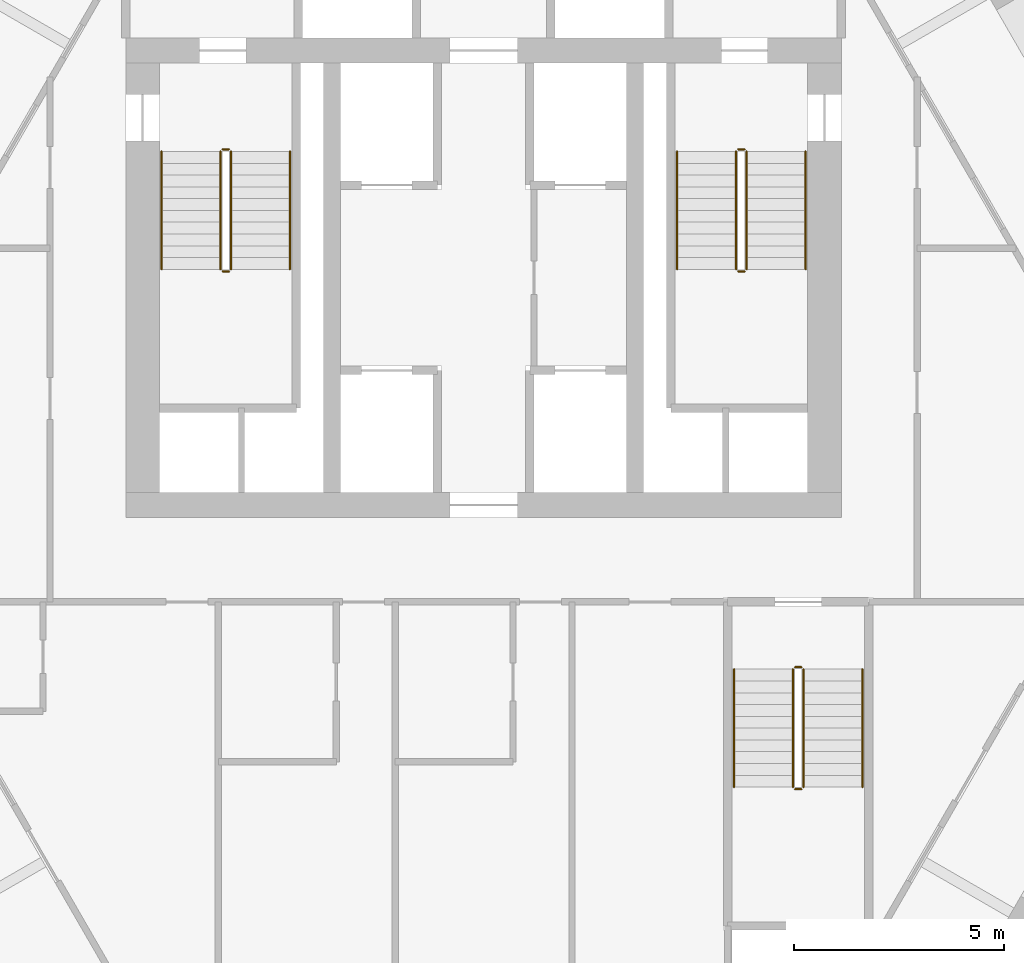
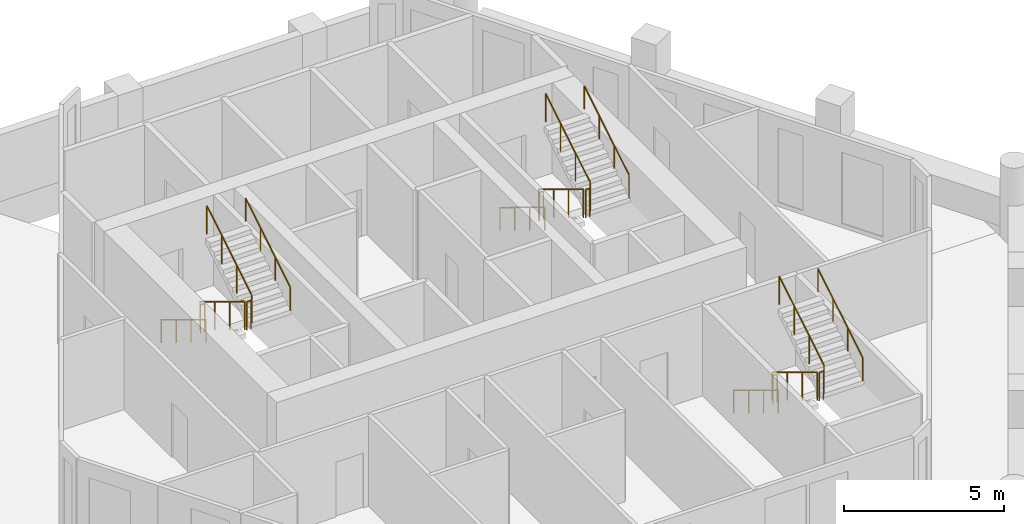
# One storey, part 6 of 6: 18 railings.
"""IFC4 building model written with IfcOpenShell, lengths in metres."""

from ifc_helpers import new_model, si_unit, direction, frame, origin, origin_2d, place, context, subcontext, project, spatial, circle, extrude, material, type_object, element, save


model = new_model("IFC4")

# Units and contexts
model_context = context("Model", 3, precision=1e-05, world=origin(), true_north=direction((0.0, 1.0)))
body_context = subcontext(model_context, "Body", "Model", "MODEL_VIEW")
ifc_project = project(units=[si_unit("LENGTHUNIT", "METRE"), si_unit("AREAUNIT", "SQUARE_METRE"), si_unit("VOLUMEUNIT", "CUBIC_METRE"), si_unit("PLANEANGLEUNIT", "RADIAN"), si_unit("MASSUNIT", "GRAM", prefix="KILO")], contexts=[model_context])

# Site, building, storey
site_placement = place(None, origin())
site = spatial("IfcSite", under=ifc_project, at=site_placement, CompositionType="ELEMENT")
building_placement = place(site_placement, origin())
building = spatial("IfcBuilding", under=site, at=building_placement, Name="Ostrander Bayou Hotel Tower", CompositionType="ELEMENT")
storey_placement = place(building_placement, frame((0.0, 0.0, 252.5)))
storey = spatial("IfcBuildingStorey", under=building, at=storey_placement, Name="L62", CompositionType="ELEMENT", Elevation=252.5)

# Railings
ifc_material_1 = material(Name="Steel ASTM A500 Gr C", Category="steel")
railing_type_1 = type_object("IfcRailingType", Name="GR1 stair guard 1100 mm steel", PredefinedType="GUARDRAIL", material=ifc_material_1)
railing_1_placement = place(storey_placement, frame((-6.25, 7.0, 0.17041015625)))
element("IfcRailing", 1, at=railing_1_placement, inside=storey, type_object=railing_type_1, Name="L62 STA stair guard 1", PredefinedType="GUARDRAIL", context=body_context, shape_type="SweptSolid", body=[
    extrude(circle(Radius=0.02392578125, at=origin_2d()), frame((0.0, 0.0, 1.076171875), z_axis=(0.0, -0.854169791009, 0.51999420009), x_axis=(1.0, 0.0, 0.0)), (0.0, 0.0, 1.0), 3.278076171875),
    extrude(circle(Radius=0.02099609375, at=origin_2d()), origin(), (0.0, 0.0, 1.0), 1.052001953125),
    extrude(circle(Radius=0.02099609375, at=origin_2d()), frame((0.0, -0.933349609375, 0.568115234375)), (0.0, 0.0, 1.0), 1.052001953125),
    extrude(circle(Radius=0.02099609375, at=origin_2d()), frame((0.0, -1.86669921875, 1.136474609375)), (0.0, 0.0, 1.0), 1.052001953125),
    extrude(circle(Radius=0.02099609375, at=origin_2d()), frame((0.0, -2.800048828125, 1.70458984375)), (0.0, 0.0, 1.0), 1.052001953125),
])
railing_2_placement = place(storey_placement, frame((-6.199951171875, 4.14990234375, 1.875)))
element("IfcRailing", 2, at=railing_2_placement, inside=storey, type_object=railing_type_1, Name="L62 STA stair guard 2", PredefinedType="GUARDRAIL", context=body_context, shape_type="SweptSolid", body=[
    extrude(circle(Radius=0.02392578125, at=origin_2d()), frame((0.0, 0.0, 1.076171875), z_axis=(1.0, 0.0, 0.0), x_axis=(0.0, 1.0, 0.0)), (0.0, 0.0, 1.0), 0.14990234375),
    extrude(circle(Radius=0.02099609375, at=origin_2d()), origin(), (0.0, 0.0, 1.0), 1.052001953125),
    extrude(circle(Radius=0.02099609375, at=origin_2d()), frame((0.14990234375, 0.0, 0.0)), (0.0, 0.0, 1.0), 1.052001953125),
])
railing_3_placement = place(storey_placement, frame((-6.0, 4.199951171875, 2.04541015625)))
element("IfcRailing", 3, at=railing_3_placement, inside=storey, type_object=railing_type_1, Name="L62 STA stair guard 3", PredefinedType="GUARDRAIL", context=body_context, shape_type="SweptSolid", body=[
    extrude(circle(Radius=0.02392578125, at=origin_2d()), frame((0.0, 0.0, 1.076171875), z_axis=(0.0, 0.854169791009, 0.51999420009), x_axis=(-1.0, 0.0, 0.0)), (0.0, 0.0, 1.0), 3.278076171875),
    extrude(circle(Radius=0.02099609375, at=origin_2d()), origin(), (0.0, 0.0, 1.0), 1.052001953125),
    extrude(circle(Radius=0.02099609375, at=origin_2d()), frame((0.0, 0.933349609375, 0.568115234375)), (0.0, 0.0, 1.0), 1.052001953125),
    extrude(circle(Radius=0.02099609375, at=origin_2d()), frame((0.0, 1.86669921875, 1.136474609375)), (0.0, 0.0, 1.0), 1.052001953125),
    extrude(circle(Radius=0.02099609375, at=origin_2d()), frame((0.0, 2.800048828125, 1.70458984375)), (0.0, 0.0, 1.0), 1.052001953125),
])
railing_4_placement = place(storey_placement, frame((-6.199951171875, 7.050048828125, 0.0)))
element("IfcRailing", 4, at=railing_4_placement, inside=storey, type_object=railing_type_1, Name="L62 STA stair guard 4", PredefinedType="GUARDRAIL", context=body_context, shape_type="SweptSolid", body=[
    extrude(circle(Radius=0.02392578125, at=origin_2d()), frame((0.0, 0.0, 1.076171875), z_axis=(1.0, 0.0, 0.0), x_axis=(0.0, 1.0, 0.0)), (0.0, 0.0, 1.0), 0.14990234375),
    extrude(circle(Radius=0.02099609375, at=origin_2d()), origin(), (0.0, 0.0, 1.0), 1.052001953125),
    extrude(circle(Radius=0.02099609375, at=origin_2d()), frame((0.14990234375, 0.0, 0.0)), (0.0, 0.0, 1.0), 1.052001953125),
])
railing_5_placement = place(storey_placement, frame((6.0, 7.0, 0.17041015625)))
element("IfcRailing", 5, at=railing_5_placement, inside=storey, type_object=railing_type_1, Name="L62 STB stair guard 1", PredefinedType="GUARDRAIL", context=body_context, shape_type="SweptSolid", body=[
    extrude(circle(Radius=0.02392578125, at=origin_2d()), frame((0.0, 0.0, 1.076171875), z_axis=(0.0, -0.854169791009, 0.51999420009), x_axis=(1.0, 0.0, 0.0)), (0.0, 0.0, 1.0), 3.278076171875),
    extrude(circle(Radius=0.02099609375, at=origin_2d()), origin(), (0.0, 0.0, 1.0), 1.052001953125),
    extrude(circle(Radius=0.02099609375, at=origin_2d()), frame((0.0, -0.933349609375, 0.568115234375)), (0.0, 0.0, 1.0), 1.052001953125),
    extrude(circle(Radius=0.02099609375, at=origin_2d()), frame((0.0, -1.86669921875, 1.136474609375)), (0.0, 0.0, 1.0), 1.052001953125),
    extrude(circle(Radius=0.02099609375, at=origin_2d()), frame((0.0, -2.800048828125, 1.70458984375)), (0.0, 0.0, 1.0), 1.052001953125),
])
railing_6_placement = place(storey_placement, frame((6.050048828125, 4.14990234375, 1.875)))
element("IfcRailing", 6, at=railing_6_placement, inside=storey, type_object=railing_type_1, Name="L62 STB stair guard 2", PredefinedType="GUARDRAIL", context=body_context, shape_type="SweptSolid", body=[
    extrude(circle(Radius=0.02392578125, at=origin_2d()), frame((0.0, 0.0, 1.076171875), z_axis=(1.0, 0.0, 0.0), x_axis=(0.0, 1.0, 0.0)), (0.0, 0.0, 1.0), 0.14990234375),
    extrude(circle(Radius=0.02099609375, at=origin_2d()), origin(), (0.0, 0.0, 1.0), 1.052001953125),
    extrude(circle(Radius=0.02099609375, at=origin_2d()), frame((0.14990234375, 0.0, 0.0)), (0.0, 0.0, 1.0), 1.052001953125),
])
railing_7_placement = place(storey_placement, frame((6.25, 4.199951171875, 2.04541015625)))
element("IfcRailing", 7, at=railing_7_placement, inside=storey, type_object=railing_type_1, Name="L62 STB stair guard 3", PredefinedType="GUARDRAIL", context=body_context, shape_type="SweptSolid", body=[
    extrude(circle(Radius=0.02392578125, at=origin_2d()), frame((0.0, 0.0, 1.076171875), z_axis=(0.0, 0.854169791009, 0.51999420009), x_axis=(-1.0, 0.0, 0.0)), (0.0, 0.0, 1.0), 3.278076171875),
    extrude(circle(Radius=0.02099609375, at=origin_2d()), origin(), (0.0, 0.0, 1.0), 1.052001953125),
    extrude(circle(Radius=0.02099609375, at=origin_2d()), frame((0.0, 0.933349609375, 0.568115234375)), (0.0, 0.0, 1.0), 1.052001953125),
    extrude(circle(Radius=0.02099609375, at=origin_2d()), frame((0.0, 1.86669921875, 1.136474609375)), (0.0, 0.0, 1.0), 1.052001953125),
    extrude(circle(Radius=0.02099609375, at=origin_2d()), frame((0.0, 2.800048828125, 1.70458984375)), (0.0, 0.0, 1.0), 1.052001953125),
])
railing_8_placement = place(storey_placement, frame((6.050048828125, 7.050048828125, 0.0)))
element("IfcRailing", 8, at=railing_8_placement, inside=storey, type_object=railing_type_1, Name="L62 STB stair guard 4", PredefinedType="GUARDRAIL", context=body_context, shape_type="SweptSolid", body=[
    extrude(circle(Radius=0.02392578125, at=origin_2d()), frame((0.0, 0.0, 1.076171875), z_axis=(1.0, 0.0, 0.0), x_axis=(0.0, 1.0, 0.0)), (0.0, 0.0, 1.0), 0.14990234375),
    extrude(circle(Radius=0.02099609375, at=origin_2d()), origin(), (0.0, 0.0, 1.0), 1.052001953125),
    extrude(circle(Radius=0.02099609375, at=origin_2d()), frame((0.14990234375, 0.0, 0.0)), (0.0, 0.0, 1.0), 1.052001953125),
])
railing_9_placement = place(storey_placement, frame((7.35009765625, -5.300048828125, 0.17041015625)))
element("IfcRailing", 9, at=railing_9_placement, inside=storey, type_object=railing_type_1, Name="L62 STC stair guard 1", PredefinedType="GUARDRAIL", context=body_context, shape_type="SweptSolid", body=[
    extrude(circle(Radius=0.02392578125, at=origin_2d()), frame((0.0, 0.0, 1.076171875), z_axis=(0.0, -0.854169791009, 0.51999420009), x_axis=(1.0, 0.0, 0.0)), (0.0, 0.0, 1.0), 3.278076171875),
    extrude(circle(Radius=0.02099609375, at=origin_2d()), origin(), (0.0, 0.0, 1.0), 1.052001953125),
    extrude(circle(Radius=0.02099609375, at=origin_2d()), frame((0.0, -0.933349609375, 0.568115234375)), (0.0, 0.0, 1.0), 1.052001953125),
    extrude(circle(Radius=0.02099609375, at=origin_2d()), frame((0.0, -1.86669921875, 1.136474609375)), (0.0, 0.0, 1.0), 1.052001953125),
    extrude(circle(Radius=0.02099609375, at=origin_2d()), frame((0.0, -2.800048828125, 1.70458984375)), (0.0, 0.0, 1.0), 1.052001953125),
])
railing_10_placement = place(storey_placement, frame((7.39990234375, -8.14990234375, 1.875)))
element("IfcRailing", 10, at=railing_10_placement, inside=storey, type_object=railing_type_1, Name="L62 STC stair guard 2", PredefinedType="GUARDRAIL", context=body_context, shape_type="SweptSolid", body=[
    extrude(circle(Radius=0.02392578125, at=origin_2d()), frame((0.0, 0.0, 1.076171875), z_axis=(1.0, 0.0, 0.0), x_axis=(0.0, 1.0, 0.0)), (0.0, 0.0, 1.0), 0.150146484375),
    extrude(circle(Radius=0.02099609375, at=origin_2d()), origin(), (0.0, 0.0, 1.0), 1.052001953125),
    extrude(circle(Radius=0.02099609375, at=origin_2d()), frame((0.150146484375, 0.0, 0.0)), (0.0, 0.0, 1.0), 1.052001953125),
])
railing_11_placement = place(storey_placement, frame((7.60009765625, -8.10009765625, 2.04541015625)))
element("IfcRailing", 11, at=railing_11_placement, inside=storey, type_object=railing_type_1, Name="L62 STC stair guard 3", PredefinedType="GUARDRAIL", context=body_context, shape_type="SweptSolid", body=[
    extrude(circle(Radius=0.02392578125, at=origin_2d()), frame((0.0, 0.0, 1.076171875), z_axis=(0.0, 0.854169791009, 0.51999420009), x_axis=(-1.0, 0.0, 0.0)), (0.0, 0.0, 1.0), 3.278076171875),
    extrude(circle(Radius=0.02099609375, at=origin_2d()), origin(), (0.0, 0.0, 1.0), 1.052001953125),
    extrude(circle(Radius=0.02099609375, at=origin_2d()), frame((0.0, 0.933349609375, 0.568115234375)), (0.0, 0.0, 1.0), 1.052001953125),
    extrude(circle(Radius=0.02099609375, at=origin_2d()), frame((0.0, 1.86669921875, 1.136474609375)), (0.0, 0.0, 1.0), 1.052001953125),
    extrude(circle(Radius=0.02099609375, at=origin_2d()), frame((0.0, 2.800048828125, 1.70458984375)), (0.0, 0.0, 1.0), 1.052001953125),
])
railing_12_placement = place(storey_placement, frame((7.39990234375, -5.25, 0.0)))
element("IfcRailing", 12, at=railing_12_placement, inside=storey, type_object=railing_type_1, Name="L62 STC stair guard 4", PredefinedType="GUARDRAIL", context=body_context, shape_type="SweptSolid", body=[
    extrude(circle(Radius=0.02392578125, at=origin_2d()), frame((0.0, 0.0, 1.076171875), z_axis=(1.0, 0.0, 0.0), x_axis=(0.0, 1.0, 0.0)), (0.0, 0.0, 1.0), 0.150146484375),
    extrude(circle(Radius=0.02099609375, at=origin_2d()), origin(), (0.0, 0.0, 1.0), 1.052001953125),
    extrude(circle(Radius=0.02099609375, at=origin_2d()), frame((0.150146484375, 0.0, 0.0)), (0.0, 0.0, 1.0), 1.052001953125),
])
ifc_material_2 = material(Name="Steel ASTM A500 Gr C", Category="steel")
railing_type_2 = type_object("IfcRailingType", Name="HR1 stair handrail 900 mm steel", PredefinedType="HANDRAIL", material=ifc_material_2)
railing_13_placement = place(storey_placement, frame((-7.64990234375, 7.0, 0.17041015625)))
element("IfcRailing", 13, at=railing_13_placement, inside=storey, type_object=railing_type_2, Name="L62 STA stair handrail 1", PredefinedType="HANDRAIL", context=body_context, shape_type="SweptSolid", body=[
    extrude(circle(Radius=0.02392578125, at=origin_2d()), frame((0.0, 0.0, 0.8759765625), z_axis=(0.0, -0.854169791009, 0.51999420009), x_axis=(1.0, 0.0, 0.0)), (0.0, 0.0, 1.0), 3.278076171875),
    extrude(circle(Radius=0.02099609375, at=origin_2d()), origin(), (0.0, 0.0, 1.0), 0.851806640625),
    extrude(circle(Radius=0.02099609375, at=origin_2d()), frame((0.0, -0.933349609375, 0.568115234375)), (0.0, 0.0, 1.0), 0.851806640625),
    extrude(circle(Radius=0.02099609375, at=origin_2d()), frame((0.0, -1.86669921875, 1.136474609375)), (0.0, 0.0, 1.0), 0.851806640625),
    extrude(circle(Radius=0.02099609375, at=origin_2d()), frame((0.0, -2.800048828125, 1.70458984375)), (0.0, 0.0, 1.0), 0.851806640625),
])
railing_14_placement = place(storey_placement, frame((-4.60009765625, 4.199951171875, 2.04541015625)))
element("IfcRailing", 14, at=railing_14_placement, inside=storey, type_object=railing_type_2, Name="L62 STA stair handrail 2", PredefinedType="HANDRAIL", context=body_context, shape_type="SweptSolid", body=[
    extrude(circle(Radius=0.02392578125, at=origin_2d()), frame((0.0, 0.0, 0.8759765625), z_axis=(0.0, 0.854169791009, 0.51999420009), x_axis=(-1.0, 0.0, 0.0)), (0.0, 0.0, 1.0), 3.278076171875),
    extrude(circle(Radius=0.02099609375, at=origin_2d()), origin(), (0.0, 0.0, 1.0), 0.851806640625),
    extrude(circle(Radius=0.02099609375, at=origin_2d()), frame((0.0, 0.933349609375, 0.568115234375)), (0.0, 0.0, 1.0), 0.851806640625),
    extrude(circle(Radius=0.02099609375, at=origin_2d()), frame((0.0, 1.86669921875, 1.136474609375)), (0.0, 0.0, 1.0), 0.851806640625),
    extrude(circle(Radius=0.02099609375, at=origin_2d()), frame((0.0, 2.800048828125, 1.70458984375)), (0.0, 0.0, 1.0), 0.851806640625),
])
railing_15_placement = place(storey_placement, frame((4.60009765625, 7.0, 0.17041015625)))
element("IfcRailing", 15, at=railing_15_placement, inside=storey, type_object=railing_type_2, Name="L62 STB stair handrail 1", PredefinedType="HANDRAIL", context=body_context, shape_type="SweptSolid", body=[
    extrude(circle(Radius=0.02392578125, at=origin_2d()), frame((0.0, 0.0, 0.8759765625), z_axis=(0.0, -0.854169791009, 0.51999420009), x_axis=(1.0, 0.0, 0.0)), (0.0, 0.0, 1.0), 3.278076171875),
    extrude(circle(Radius=0.02099609375, at=origin_2d()), origin(), (0.0, 0.0, 1.0), 0.851806640625),
    extrude(circle(Radius=0.02099609375, at=origin_2d()), frame((0.0, -0.933349609375, 0.568115234375)), (0.0, 0.0, 1.0), 0.851806640625),
    extrude(circle(Radius=0.02099609375, at=origin_2d()), frame((0.0, -1.86669921875, 1.136474609375)), (0.0, 0.0, 1.0), 0.851806640625),
    extrude(circle(Radius=0.02099609375, at=origin_2d()), frame((0.0, -2.800048828125, 1.70458984375)), (0.0, 0.0, 1.0), 0.851806640625),
])
railing_16_placement = place(storey_placement, frame((7.64990234375, 4.199951171875, 2.04541015625)))
element("IfcRailing", 16, at=railing_16_placement, inside=storey, type_object=railing_type_2, Name="L62 STB stair handrail 2", PredefinedType="HANDRAIL", context=body_context, shape_type="SweptSolid", body=[
    extrude(circle(Radius=0.02392578125, at=origin_2d()), frame((0.0, 0.0, 0.8759765625), z_axis=(0.0, 0.854169791009, 0.51999420009), x_axis=(-1.0, 0.0, 0.0)), (0.0, 0.0, 1.0), 3.278076171875),
    extrude(circle(Radius=0.02099609375, at=origin_2d()), origin(), (0.0, 0.0, 1.0), 0.851806640625),
    extrude(circle(Radius=0.02099609375, at=origin_2d()), frame((0.0, 0.933349609375, 0.568115234375)), (0.0, 0.0, 1.0), 0.851806640625),
    extrude(circle(Radius=0.02099609375, at=origin_2d()), frame((0.0, 1.86669921875, 1.136474609375)), (0.0, 0.0, 1.0), 0.851806640625),
    extrude(circle(Radius=0.02099609375, at=origin_2d()), frame((0.0, 2.800048828125, 1.70458984375)), (0.0, 0.0, 1.0), 0.851806640625),
])
railing_17_placement = place(storey_placement, frame((5.949951171875, -5.300048828125, 0.17041015625)))
element("IfcRailing", 17, at=railing_17_placement, inside=storey, type_object=railing_type_2, Name="L62 STC stair handrail 1", PredefinedType="HANDRAIL", context=body_context, shape_type="SweptSolid", body=[
    extrude(circle(Radius=0.02392578125, at=origin_2d()), frame((0.0, 0.0, 0.8759765625), z_axis=(0.0, -0.854169791009, 0.51999420009), x_axis=(1.0, 0.0, 0.0)), (0.0, 0.0, 1.0), 3.278076171875),
    extrude(circle(Radius=0.02099609375, at=origin_2d()), origin(), (0.0, 0.0, 1.0), 0.851806640625),
    extrude(circle(Radius=0.02099609375, at=origin_2d()), frame((0.0, -0.933349609375, 0.568115234375)), (0.0, 0.0, 1.0), 0.851806640625),
    extrude(circle(Radius=0.02099609375, at=origin_2d()), frame((0.0, -1.86669921875, 1.136474609375)), (0.0, 0.0, 1.0), 0.851806640625),
    extrude(circle(Radius=0.02099609375, at=origin_2d()), frame((0.0, -2.800048828125, 1.70458984375)), (0.0, 0.0, 1.0), 0.851806640625),
])
railing_18_placement = place(storey_placement, frame((9.0, -8.10009765625, 2.04541015625)))
element("IfcRailing", 18, at=railing_18_placement, inside=storey, type_object=railing_type_2, Name="L62 STC stair handrail 2", PredefinedType="HANDRAIL", context=body_context, shape_type="SweptSolid", body=[
    extrude(circle(Radius=0.02392578125, at=origin_2d()), frame((0.0, 0.0, 0.8759765625), z_axis=(0.0, 0.854169791009, 0.51999420009), x_axis=(-1.0, 0.0, 0.0)), (0.0, 0.0, 1.0), 3.278076171875),
    extrude(circle(Radius=0.02099609375, at=origin_2d()), origin(), (0.0, 0.0, 1.0), 0.851806640625),
    extrude(circle(Radius=0.02099609375, at=origin_2d()), frame((0.0, 0.933349609375, 0.568115234375)), (0.0, 0.0, 1.0), 0.851806640625),
    extrude(circle(Radius=0.02099609375, at=origin_2d()), frame((0.0, 1.86669921875, 1.136474609375)), (0.0, 0.0, 1.0), 0.851806640625),
    extrude(circle(Radius=0.02099609375, at=origin_2d()), frame((0.0, 2.800048828125, 1.70458984375)), (0.0, 0.0, 1.0), 0.851806640625),
])

save(model, "model.ifc")
